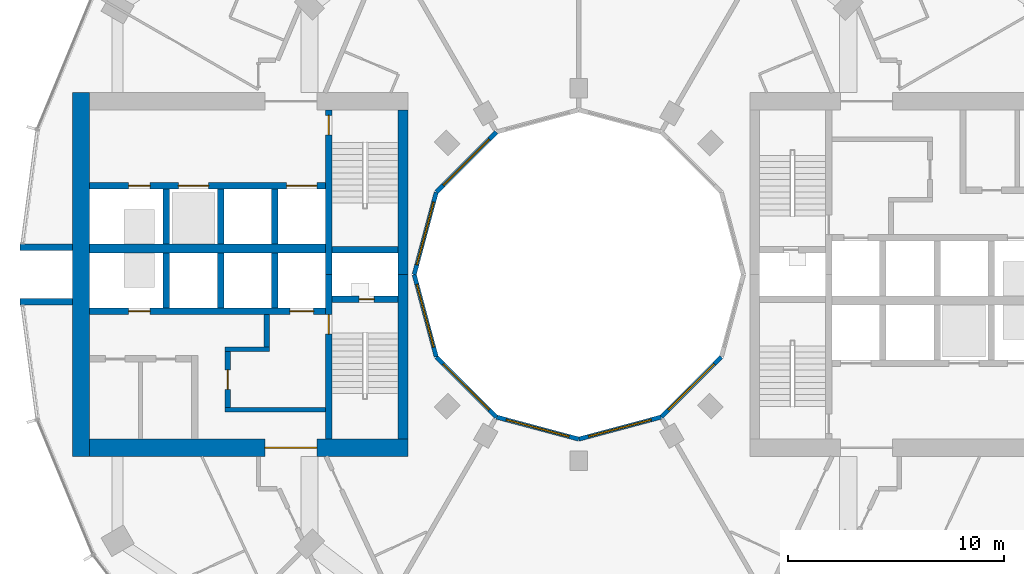
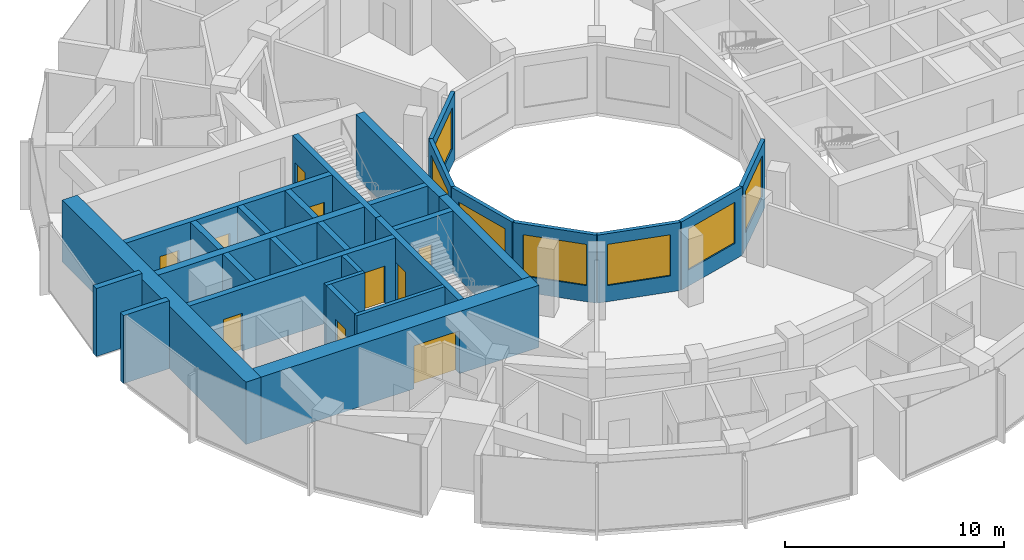
# One storey, part 9 of 15: 30 walls, 10 doors, 7 windows, 17 openings.
"""IFC4 building model written with IfcOpenShell, lengths in metres."""

from ifc_helpers import new_model, si_unit, direction, frame, frame_2d, origin, place, context, subcontext, project, spatial, rectangle, extrude, material, layer, layer_set, type_object, element, fill, save


model = new_model("IFC4")

# Units and contexts
model_context = context("Model", 3, precision=1e-05, world=origin(), true_north=direction((0.0, 1.0)))
body_context = subcontext(model_context, "Body", "Model", "MODEL_VIEW")
ifc_project = project(units=[si_unit("LENGTHUNIT", "METRE"), si_unit("AREAUNIT", "SQUARE_METRE"), si_unit("VOLUMEUNIT", "CUBIC_METRE"), si_unit("PLANEANGLEUNIT", "RADIAN"), si_unit("MASSUNIT", "GRAM", prefix="KILO")], contexts=[model_context])

# Site, building, storey
site_placement = place(None, origin())
site = spatial("IfcSite", under=ifc_project, at=site_placement, CompositionType="ELEMENT")
building_placement = place(site_placement, origin())
building = spatial("IfcBuilding", under=site, at=building_placement, Name="Torre Brocal", CompositionType="ELEMENT")
storey_placement = place(building_placement, frame((0.0, 0.0, 86.199951171875)))
storey = spatial("IfcBuildingStorey", under=building, at=storey_placement, Name="L19", CompositionType="ELEMENT", Elevation=86.199951171875)

# Walls
ifc_material_1 = material(Name="Concrete C80", Category="concrete")
ifc_layer_1 = layer(ifc_material_1, 0.199951171875)
ifc_layer_set_1 = layer_set([ifc_layer_1], Name="Concrete C80")
wall_type_1 = type_object("IfcWallType", Name="CORE WALL 200 C80", PredefinedType="SHEAR", material=ifc_layer_set_1)
wall_1_placement = place(storey_placement, frame((68.300048828125, 68.75, 0.0), z_axis=(0.0, 0.0, 1.0), x_axis=(-1.0, 0.0, 0.0)))
element("IfcWall", 1, at=wall_1_placement, inside=storey, type_object=wall_type_1, Name="Wall CW200-80", PredefinedType="SHEAR", context=body_context, shape_type="SweptSolid", body=[
    extrude(rectangle(XDim=4.650146484375, YDim=0.199951171875, at=frame_2d((2.3251953125, 0.0))), origin(), (0.0, 0.0, 1.0), 3.47998046875),
])
wall_2_placement = place(storey_placement, frame((65.699951171875, 71.550048828125, 0.0), z_axis=(0.0, 0.0, 1.0), x_axis=(-1.0, 0.0, 0.0)))
element("IfcWall", 2, at=wall_2_placement, inside=storey, type_object=wall_type_1, Name="Wall CW200-80", PredefinedType="SHEAR", context=body_context, shape_type="SweptSolid", body=[
    extrude(rectangle(XDim=2.050048828125, YDim=0.199951171875, at=frame_2d((1.02490234375, 0.0))), origin(), (0.0, 0.0, 1.0), 3.47998046875),
])

# Wall, opening, door
ifc_material_2 = material(Name="Concrete C80", Category="concrete")
ifc_layer_2 = layer(ifc_material_2, 0.25)
ifc_layer_set_2 = layer_set([ifc_layer_2], Name="Concrete C80")
wall_type_2 = type_object("IfcWallType", Name="CORE WALL 250 C80", PredefinedType="SHEAR", material=ifc_layer_set_2)
wall_3_placement = place(storey_placement, frame((63.77490234375, 71.449951171875, 0.0), z_axis=(0.0, 0.0, 1.0), x_axis=(0.0, -1.0, 0.0)))
wall_3 = element("IfcWall", 3, at=wall_3_placement, inside=storey, type_object=wall_type_2, Name="Wall CW250-80", PredefinedType="SHEAR", context=body_context, shape_type="SweptSolid", body=[
    extrude(rectangle(XDim=2.599853515625, YDim=0.25, at=frame_2d((1.2998046875, 0.0))), origin(), (0.0, 0.0, 1.0), 3.47998046875),
])
opening_1_placement = place(wall_3_placement, frame((0.85009765625, 0.0, 0.0)))
opening_1 = element("IfcOpeningElement", 4, at=opening_1_placement, cuts=wall_3, Name="Opening W-D15", PredefinedType="OPENING", context=body_context, shape_type="SweptSolid", body=[
    extrude(rectangle(XDim=0.89990234375, YDim=2.10009765625, at=frame_2d((0.449951171875, 1.050048828125))), frame((0.0, 0.135009765625, 0.0), z_axis=(0.0, -1.0, 0.0), x_axis=(1.0, 0.0, 0.0)), (0.0, 0.0, 1.0), 0.27001953125),
])
ifc_material_3 = material(Name="Steel A653", Category="steel")
door_type_1 = type_object("IfcDoorType", Name="LOBBY DOOR FD120 900X2100", OperationType="SINGLE_SWING_RIGHT", PredefinedType="DOOR", material=ifc_material_3)
door_1_placement = place(opening_1_placement, origin())
door_1 = element("IfcDoor", 5, at=door_1_placement, inside=storey, type_object=door_type_1, Name="Door W-D15", OperationType="SINGLE_SWING_LEFT", OverallHeight=2.10009765625, OverallWidth=0.89990234375, PredefinedType="DOOR", context=body_context, shape_type="SweptSolid", body=[
    extrude(rectangle(XDim=0.89990234375, YDim=2.10009765625, at=frame_2d((0.449951171875, 1.050048828125))), frame((0.0, 0.02490234375, 0.0), z_axis=(0.0, -1.0, 0.0), x_axis=(1.0, 0.0, 0.0)), (0.0, 0.0, 1.0), 0.050048828125),
])
fill(opening_1, door_1)

# Wall
wall_4_placement = place(storey_placement, frame((65.574951171875, 73.14990234375, 0.0), z_axis=(0.0, 0.0, 1.0), x_axis=(0.0, -1.0, 0.0)))
element("IfcWall", 6, at=wall_4_placement, inside=storey, type_object=wall_type_2, Name="Wall CW250-80", PredefinedType="SHEAR", context=body_context, shape_type="SweptSolid", body=[
    extrude(rectangle(XDim=1.5, YDim=0.25, at=frame_2d((0.75, 0.0))), origin(), (0.0, 0.0, 1.0), 3.47998046875),
])

# Wall, opening, door
ifc_material_4 = material(Name="Concrete C80", Category="concrete")
ifc_layer_3 = layer(ifc_material_4, 0.300048828125)
ifc_layer_set_3 = layer_set([ifc_layer_3], Name="Concrete C80")
wall_type_3 = type_object("IfcWallType", Name="CORE WALL 300 C80", PredefinedType="SHEAR", material=ifc_layer_set_3)
wall_5_placement = place(storey_placement, frame((68.449951171875, 75.0, 0.0), z_axis=(0.0, 0.0, 1.0), x_axis=(0.0, -1.0, 0.0)))
wall_5 = element("IfcWall", 7, at=wall_5_placement, inside=storey, type_object=wall_type_3, Name="Wall CW300-80", PredefinedType="SHEAR", context=body_context, shape_type="SweptSolid", body=[
    extrude(rectangle(XDim=7.60009765625, YDim=0.300048828125, at=frame_2d((3.800048828125, 0.0))), origin(), (0.0, 0.0, 1.0), 3.47998046875),
])
opening_2_placement = place(wall_5_placement, frame((1.85009765625, 0.0, 0.0)))
opening_2 = element("IfcOpeningElement", 8, at=opening_2_placement, cuts=wall_5, Name="Opening W-D02", PredefinedType="OPENING", context=body_context, shape_type="SweptSolid", body=[
    extrude(rectangle(XDim=0.89990234375, YDim=2.10009765625, at=frame_2d((0.449951171875, 1.050048828125))), frame((0.0, 0.159912109375, 0.0), z_axis=(0.0, -1.0, 0.0), x_axis=(1.0, 0.0, 0.0)), (0.0, 0.0, 1.0), 0.320068359375),
])
ifc_material_5 = material(Name="Steel A653", Category="steel")
door_type_2 = type_object("IfcDoorType", Name="STAIR DOOR FD120 900X2100", OperationType="SINGLE_SWING_RIGHT", PredefinedType="DOOR", material=ifc_material_5)
door_2_placement = place(opening_2_placement, origin())
door_2 = element("IfcDoor", 9, at=door_2_placement, inside=storey, type_object=door_type_2, Name="Door W-D02", OperationType="SINGLE_SWING_LEFT", OverallHeight=2.10009765625, OverallWidth=0.89990234375, PredefinedType="DOOR", context=body_context, shape_type="SweptSolid", body=[
    extrude(rectangle(XDim=0.89990234375, YDim=2.10009765625, at=frame_2d((0.449951171875, 1.050048828125))), frame((0.0, 0.02490234375, 0.0), z_axis=(0.0, -1.0, 0.0), x_axis=(1.0, 0.0, 0.0)), (0.0, 0.0, 1.0), 0.050048828125),
])
fill(opening_2, door_2)

wall_6_placement = place(storey_placement, frame((68.449951171875, 82.60009765625, 0.0), z_axis=(0.0, 0.0, 1.0), x_axis=(0.0, -1.0, 0.0)))
wall_6 = element("IfcWall", 10, at=wall_6_placement, inside=storey, type_object=wall_type_3, Name="Wall CW300-80", PredefinedType="SHEAR", context=body_context, shape_type="SweptSolid", body=[
    extrude(rectangle(XDim=7.60009765625, YDim=0.300048828125, at=frame_2d((3.800048828125, 0.0))), origin(), (0.0, 0.0, 1.0), 3.47998046875),
])
opening_3_placement = place(wall_6_placement, frame((0.25, 0.0, 0.0)))
opening_3 = element("IfcOpeningElement", 11, at=opening_3_placement, cuts=wall_6, Name="Opening W-D03", PredefinedType="OPENING", context=body_context, shape_type="SweptSolid", body=[
    extrude(rectangle(XDim=0.89990234375, YDim=2.10009765625, at=frame_2d((0.449951171875, 1.050048828125))), frame((0.0, 0.159912109375, 0.0), z_axis=(0.0, -1.0, 0.0), x_axis=(1.0, 0.0, 0.0)), (0.0, 0.0, 1.0), 0.320068359375),
])
door_3_placement = place(opening_3_placement, origin())
door_3 = element("IfcDoor", 12, at=door_3_placement, inside=storey, type_object=door_type_2, Name="Door W-D03", OperationType="SINGLE_SWING_LEFT", OverallHeight=2.10009765625, OverallWidth=0.89990234375, PredefinedType="DOOR", context=body_context, shape_type="SweptSolid", body=[
    extrude(rectangle(XDim=0.89990234375, YDim=2.10009765625, at=frame_2d((0.449951171875, 1.050048828125))), frame((0.0, 0.02490234375, 0.0), z_axis=(0.0, -1.0, 0.0), x_axis=(1.0, 0.0, 0.0)), (0.0, 0.0, 1.0), 0.050048828125),
])
fill(opening_3, door_3)

wall_7_placement = place(storey_placement, frame((71.64990234375, 73.85009765625, 0.0), z_axis=(0.0, 0.0, 1.0), x_axis=(-1.0, 0.0, 0.0)))
wall_7 = element("IfcWall", 13, at=wall_7_placement, inside=storey, type_object=wall_type_3, Name="Wall CW300-80", PredefinedType="SHEAR", context=body_context, shape_type="SweptSolid", body=[
    extrude(rectangle(XDim=3.0498046875, YDim=0.300048828125, at=frame_2d((1.52490234375, 0.0))), origin(), (0.0, 0.0, 1.0), 3.47998046875),
])
opening_4_placement = place(wall_7_placement, frame((1.10009765625, 0.0, 0.0)))
opening_4 = element("IfcOpeningElement", 14, at=opening_4_placement, cuts=wall_7, Name="Opening W-D01", PredefinedType="OPENING", context=body_context, shape_type="SweptSolid", body=[
    extrude(rectangle(XDim=0.699951171875, YDim=2.0, at=frame_2d((0.35009765625, 1.0))), frame((0.0, 0.159912109375, 0.0), z_axis=(0.0, -1.0, 0.0), x_axis=(1.0, 0.0, 0.0)), (0.0, 0.0, 1.0), 0.320068359375),
])
ifc_material_6 = material(Name="Steel A653", Category="steel")
door_type_3 = type_object("IfcDoorType", Name="RISER DOOR FD120 700X2000", OperationType="SINGLE_SWING_LEFT", PredefinedType="DOOR", material=ifc_material_6)
door_4_placement = place(opening_4_placement, frame((0.699951171875, 0.0, 0.0), z_axis=(0.0, 0.0, 1.0), x_axis=(-1.0, 0.0, 0.0)))
door_4 = element("IfcDoor", 15, at=door_4_placement, inside=storey, type_object=door_type_3, Name="Door W-D01", OperationType="SINGLE_SWING_RIGHT", OverallHeight=2.0, OverallWidth=0.699951171875, PredefinedType="DOOR", context=body_context, shape_type="SweptSolid", body=[
    extrude(rectangle(XDim=0.699951171875, YDim=2.0, at=frame_2d((0.35009765625, 1.0))), frame((0.0, 0.02490234375, 0.0), z_axis=(0.0, -1.0, 0.0), x_axis=(1.0, 0.0, 0.0)), (0.0, 0.0, 1.0), 0.050048828125),
])
fill(opening_4, door_4)

# Wall
wall_8_placement = place(storey_placement, frame((71.64990234375, 76.14990234375, 0.0), z_axis=(0.0, 0.0, 1.0), x_axis=(-1.0, 0.0, 0.0)))
element("IfcWall", 16, at=wall_8_placement, inside=storey, type_object=wall_type_3, Name="Wall CW300-80", PredefinedType="SHEAR", context=body_context, shape_type="SweptSolid", body=[
    extrude(rectangle(XDim=3.0498046875, YDim=0.300048828125, at=frame_2d((1.52490234375, 0.0))), origin(), (0.0, 0.0, 1.0), 3.47998046875),
])

# Wall, openings, doors
wall_9_placement = place(storey_placement, frame((68.300048828125, 73.300048828125, 0.0), z_axis=(0.0, 0.0, 1.0), x_axis=(-1.0, 0.0, 0.0)))
wall_9 = element("IfcWall", 17, at=wall_9_placement, inside=storey, type_object=wall_type_3, Name="Wall CW300-80", PredefinedType="SHEAR", context=body_context, shape_type="SweptSolid", body=[
    extrude(rectangle(XDim=10.900146484375, YDim=0.300048828125, at=frame_2d((5.4501953125, 0.0))), origin(), (0.0, 0.0, 1.0), 3.47998046875),
])
opening_5_placement = place(wall_9_placement, frame((0.550048828125, 0.0, 0.0)))
opening_5 = element("IfcOpeningElement", 18, at=opening_5_placement, cuts=wall_9, Name="Opening LD", PredefinedType="OPENING", context=body_context, shape_type="SweptSolid", body=[
    extrude(rectangle(XDim=1.10009765625, YDim=2.10009765625, at=frame_2d((0.550048828125, 1.050048828125))), frame((0.0, 0.159912109375, 0.0), z_axis=(0.0, -1.0, 0.0), x_axis=(1.0, 0.0, 0.0)), (0.0, 0.0, 1.0), 0.320068359375),
])
opening_6_placement = place(wall_9_placement, frame((8.10009765625, 0.0, 0.0)))
opening_6 = element("IfcOpeningElement", 19, at=opening_6_placement, cuts=wall_9, Name="Opening LD10", PredefinedType="OPENING", context=body_context, shape_type="SweptSolid", body=[
    extrude(rectangle(XDim=1.0, YDim=2.10009765625, at=frame_2d((0.5, 1.050048828125))), frame((0.0, 0.159912109375, 0.0), z_axis=(0.0, -1.0, 0.0), x_axis=(1.0, 0.0, 0.0)), (0.0, 0.0, 1.0), 0.320068359375),
])
ifc_material_7 = material(Name="Stainless steel AISI 316", Category="steel")
door_type_4 = type_object("IfcDoorType", Name="LIFT LANDING DOOR 1000X2100", OperationType="DOUBLE_DOOR_SLIDING", PredefinedType="DOOR", material=ifc_material_7)
door_5_placement = place(opening_6_placement, origin())
door_5 = element("IfcDoor", 20, at=door_5_placement, inside=storey, type_object=door_type_4, Name="Door LD10", OperationType="DOUBLE_DOOR_SLIDING", OverallHeight=2.10009765625, OverallWidth=1.0, PredefinedType="DOOR", context=body_context, shape_type="SweptSolid", body=[
    extrude(rectangle(XDim=1.0, YDim=2.10009765625, at=frame_2d((0.5, 1.050048828125))), frame((0.0, 0.02490234375, 0.0), z_axis=(0.0, -1.0, 0.0), x_axis=(1.0, 0.0, 0.0)), (0.0, 0.0, 1.0), 0.050048828125),
])
fill(opening_6, door_5)
ifc_material_8 = material(Name="Stainless steel AISI 316", Category="steel")
door_type_5 = type_object("IfcDoorType", Name="LIFT LANDING DOOR 1100X2100", OperationType="DOUBLE_DOOR_SLIDING", PredefinedType="DOOR", material=ifc_material_8)
door_6_placement = place(opening_5_placement, origin())
door_6 = element("IfcDoor", 21, at=door_6_placement, inside=storey, type_object=door_type_5, Name="Door LD", OperationType="DOUBLE_DOOR_SLIDING", OverallHeight=2.10009765625, OverallWidth=1.10009765625, PredefinedType="DOOR", context=body_context, shape_type="SweptSolid", body=[
    extrude(rectangle(XDim=1.10009765625, YDim=2.10009765625, at=frame_2d((0.550048828125, 1.050048828125))), frame((0.0, 0.02490234375, 0.0), z_axis=(0.0, -1.0, 0.0), x_axis=(1.0, 0.0, 0.0)), (0.0, 0.0, 1.0), 0.050048828125),
])
fill(opening_5, door_6)

wall_10_placement = place(storey_placement, frame((68.300048828125, 79.10009765625, 0.0), z_axis=(0.0, 0.0, 1.0), x_axis=(-1.0, 0.0, 0.0)))
wall_10 = element("IfcWall", 22, at=wall_10_placement, inside=storey, type_object=wall_type_3, Name="Wall CW300-80", PredefinedType="SHEAR", context=body_context, shape_type="SweptSolid", body=[
    extrude(rectangle(XDim=10.900146484375, YDim=0.300048828125, at=frame_2d((5.4501953125, 0.0))), origin(), (0.0, 0.0, 1.0), 3.47998046875),
])
opening_7_placement = place(wall_10_placement, frame((0.39990234375, 0.0, 0.0)))
opening_7 = element("IfcOpeningElement", 23, at=opening_7_placement, cuts=wall_10, Name="Opening LD14", PredefinedType="OPENING", context=body_context, shape_type="SweptSolid", body=[
    extrude(rectangle(XDim=1.39990234375, YDim=2.10009765625, at=frame_2d((0.699951171875, 1.050048828125))), frame((0.0, 0.159912109375, 0.0), z_axis=(0.0, -1.0, 0.0), x_axis=(1.0, 0.0, 0.0)), (0.0, 0.0, 1.0), 0.320068359375),
])
opening_8_placement = place(wall_10_placement, frame((5.39990234375, 0.0, 0.0)))
opening_8 = element("IfcOpeningElement", 24, at=opening_8_placement, cuts=wall_10, Name="Opening LD14", PredefinedType="OPENING", context=body_context, shape_type="SweptSolid", body=[
    extrude(rectangle(XDim=1.39990234375, YDim=2.10009765625, at=frame_2d((0.699951171875, 1.050048828125))), frame((0.0, 0.159912109375, 0.0), z_axis=(0.0, -1.0, 0.0), x_axis=(1.0, 0.0, 0.0)), (0.0, 0.0, 1.0), 0.320068359375),
])
opening_9_placement = place(wall_10_placement, frame((8.10009765625, 0.0, 0.0)))
opening_9 = element("IfcOpeningElement", 25, at=opening_9_placement, cuts=wall_10, Name="Opening LD10", PredefinedType="OPENING", context=body_context, shape_type="SweptSolid", body=[
    extrude(rectangle(XDim=1.0, YDim=2.10009765625, at=frame_2d((0.5, 1.050048828125))), frame((0.0, 0.159912109375, 0.0), z_axis=(0.0, -1.0, 0.0), x_axis=(1.0, 0.0, 0.0)), (0.0, 0.0, 1.0), 0.320068359375),
])
door_7_placement = place(opening_9_placement, origin())
door_7 = element("IfcDoor", 26, at=door_7_placement, inside=storey, type_object=door_type_4, Name="Door LD10", OperationType="DOUBLE_DOOR_SLIDING", OverallHeight=2.10009765625, OverallWidth=1.0, PredefinedType="DOOR", context=body_context, shape_type="SweptSolid", body=[
    extrude(rectangle(XDim=1.0, YDim=2.10009765625, at=frame_2d((0.5, 1.050048828125))), frame((0.0, 0.02490234375, 0.0), z_axis=(0.0, -1.0, 0.0), x_axis=(1.0, 0.0, 0.0)), (0.0, 0.0, 1.0), 0.050048828125),
])
fill(opening_9, door_7)
ifc_material_9 = material(Name="Stainless steel AISI 316", Category="steel")
door_type_6 = type_object("IfcDoorType", Name="LIFT LANDING DOOR 1400X2100", OperationType="DOUBLE_DOOR_SLIDING", PredefinedType="DOOR", material=ifc_material_9)
door_8_placement = place(opening_7_placement, origin())
door_8 = element("IfcDoor", 27, at=door_8_placement, inside=storey, type_object=door_type_6, Name="Door LD14", OperationType="DOUBLE_DOOR_SLIDING", OverallHeight=2.10009765625, OverallWidth=1.39990234375, PredefinedType="DOOR", context=body_context, shape_type="SweptSolid", body=[
    extrude(rectangle(XDim=1.39990234375, YDim=2.10009765625, at=frame_2d((0.699951171875, 1.050048828125))), frame((0.0, 0.02490234375, 0.0), z_axis=(0.0, -1.0, 0.0), x_axis=(1.0, 0.0, 0.0)), (0.0, 0.0, 1.0), 0.050048828125),
])
fill(opening_7, door_8)
door_9_placement = place(opening_8_placement, origin())
door_9 = element("IfcDoor", 28, at=door_9_placement, inside=storey, type_object=door_type_6, Name="Door LD14", OperationType="DOUBLE_DOOR_SLIDING", OverallHeight=2.10009765625, OverallWidth=1.39990234375, PredefinedType="DOOR", context=body_context, shape_type="SweptSolid", body=[
    extrude(rectangle(XDim=1.39990234375, YDim=2.10009765625, at=frame_2d((0.699951171875, 1.050048828125))), frame((0.0, 0.02490234375, 0.0), z_axis=(0.0, -1.0, 0.0), x_axis=(1.0, 0.0, 0.0)), (0.0, 0.0, 1.0), 0.050048828125),
])
fill(opening_8, door_9)

# Walls
for number, where, z_axis, x_axis, name in (
    (29, (65.949951171875, 76.0, 0.0), (0.0, 0.0, 1.0), (0.0, -1.0, 0.0), "Wall CW300-80"),
    (30, (63.449951171875, 76.0, 0.0), (0.0, 0.0, 1.0), (0.0, -1.0, 0.0), "Wall CW300-80"),
    (31, (60.949951171875, 76.0, 0.0), (0.0, 0.0, 1.0), (0.0, -1.0, 0.0), "Wall CW300-80"),
    (32, (65.949951171875, 78.949951171875, 0.0), (0.0, 0.0, 1.0), (0.0, -1.0, 0.0), "Wall CW300-80"),
    (33, (63.449951171875, 78.949951171875, 0.0), (0.0, 0.0, 1.0), (0.0, -1.0, 0.0), "Wall CW300-80"),
    (34, (60.949951171875, 78.949951171875, 0.0), (0.0, 0.0, 1.0), (0.0, -1.0, 0.0), "Wall CW300-80"),
):
    element("IfcWall", number, at=place(storey_placement, frame(where, z_axis=z_axis, x_axis=x_axis)), inside=storey, type_object=wall_type_3, Name=name, PredefinedType="SHEAR", context=body_context, shape_type="SweptSolid", body=[
        extrude(rectangle(XDim=2.550048828125, YDim=0.300048828125, at=frame_2d((1.27490234375, 0.0))), origin(), (0.0, 0.0, 1.0), 3.47998046875),
    ])
ifc_material_10 = material(Name="Concrete C80", Category="concrete")
ifc_layer_4 = layer(ifc_material_10, 0.39990234375)
ifc_layer_set_4 = layer_set([ifc_layer_4], Name="Concrete C80")
wall_type_4 = type_object("IfcWallType", Name="CORE WALL 400 C80", PredefinedType="SHEAR", material=ifc_layer_set_4)
wall_11_placement = place(storey_placement, frame((68.300048828125, 76.199951171875, 0.0), z_axis=(0.0, 0.0, 1.0), x_axis=(-1.0, 0.0, 0.0)))
element("IfcWall", 35, at=wall_11_placement, inside=storey, type_object=wall_type_4, Name="Wall CW400-80", PredefinedType="SHEAR", context=body_context, shape_type="SweptSolid", body=[
    extrude(rectangle(XDim=10.900146484375, YDim=0.39990234375, at=frame_2d((5.4501953125, 0.0))), origin(), (0.0, 0.0, 1.0), 3.47998046875),
])
ifc_material_11 = material(Name="Concrete C80", Category="concrete")
ifc_layer_5 = layer(ifc_material_11, 0.449951171875)
ifc_layer_set_5 = layer_set([ifc_layer_5], Name="Concrete C80")
wall_type_5 = type_object("IfcWallType", Name="CORE WALL 450 C80", PredefinedType="SHEAR", material=ifc_layer_set_5)
for number, where, z_axis, x_axis, name in (
    (36, (71.875, 75.0, 0.0), (0.0, 0.0, 1.0), (0.0, -1.0, 0.0), "Wall CW450-80"),
    (37, (71.875, 82.60009765625, 0.0), (0.0, 0.0, 1.0), (0.0, -1.0, 0.0), "Wall CW450-80"),
):
    element("IfcWall", number, at=place(storey_placement, frame(where, z_axis=z_axis, x_axis=x_axis)), inside=storey, type_object=wall_type_5, Name=name, PredefinedType="SHEAR", context=body_context, shape_type="SweptSolid", body=[
        extrude(rectangle(XDim=7.60009765625, YDim=0.449951171875, at=frame_2d((3.800048828125, 0.0))), origin(), (0.0, 0.0, 1.0), 3.47998046875),
    ])

# Wall, opening, door
ifc_material_12 = material(Name="Concrete C80", Category="concrete")
ifc_layer_6 = layer(ifc_material_12, 0.800048828125)
ifc_layer_set_6 = layer_set([ifc_layer_6], Name="Concrete C80")
wall_type_6 = type_object("IfcWallType", Name="CORE WALL 800 C80", PredefinedType="SHEAR", material=ifc_layer_set_6)
wall_12_placement = place(storey_placement, frame((72.10009765625, 67.0, 0.0), z_axis=(0.0, 0.0, 1.0), x_axis=(-1.0, 0.0, 0.0)))
wall_12 = element("IfcWall", 38, at=wall_12_placement, inside=storey, type_object=wall_type_6, Name="Wall CW800-80", PredefinedType="SHEAR", context=body_context, shape_type="SweptSolid", body=[
    extrude(rectangle(XDim=14.7001953125, YDim=0.800048828125, at=frame_2d((7.35009765625, 0.0))), origin(), (0.0, 0.0, 1.0), 3.47998046875),
])
opening_10_placement = place(wall_12_placement, frame((4.199951171875, 0.0, 0.0)))
opening_10 = element("IfcOpeningElement", 39, at=opening_10_placement, cuts=wall_12, Name="Opening W-D24", PredefinedType="OPENING", context=body_context, shape_type="SweptSolid", body=[
    extrude(rectangle(XDim=2.39990234375, YDim=2.39990234375, at=frame_2d((1.199951171875, 1.199951171875))), frame((0.0, 0.409912109375, 0.0), z_axis=(0.0, -1.0, 0.0), x_axis=(1.0, 0.0, 0.0)), (0.0, 0.0, 1.0), 0.820068359375),
])
ifc_material_13 = material(Name="Steel A653", Category="steel")
door_type_7 = type_object("IfcDoorType", Name="DOUBLE FIRE DOOR FD90 2400X2400", OperationType="DOUBLE_DOOR_SINGLE_SWING", PredefinedType="DOOR", material=ifc_material_13)
door_10_placement = place(opening_10_placement, frame((2.39990234375, 0.0, 0.0), z_axis=(0.0, 0.0, 1.0), x_axis=(-1.0, 0.0, 0.0)))
door_10 = element("IfcDoor", 40, at=door_10_placement, inside=storey, type_object=door_type_7, Name="Door W-D24", OperationType="DOUBLE_DOOR_SINGLE_SWING", OverallHeight=2.39990234375, OverallWidth=2.39990234375, PredefinedType="DOOR", context=body_context, shape_type="SweptSolid", body=[
    extrude(rectangle(XDim=2.39990234375, YDim=2.39990234375, at=frame_2d((1.199951171875, 1.199951171875))), frame((0.0, 0.02490234375, 0.0), z_axis=(0.0, -1.0, 0.0), x_axis=(1.0, 0.0, 0.0)), (0.0, 0.0, 1.0), 0.050048828125),
])
fill(opening_10, door_10)

# Walls
wall_13_placement = place(storey_placement, frame((57.0, 83.39990234375, 0.0), z_axis=(0.0, 0.0, 1.0), x_axis=(0.0, -1.0, 0.0)))
element("IfcWall", 41, at=wall_13_placement, inside=storey, type_object=wall_type_6, Name="Wall CW800-80", PredefinedType="SHEAR", context=body_context, shape_type="SweptSolid", body=[
    extrude(rectangle(XDim=16.7998046875, YDim=0.800048828125, at=frame_2d((8.39990234375, 0.0))), origin(), (0.0, 0.0, 1.0), 3.47998046875),
])
ifc_material_14 = material(Name="Concrete C80", Category="concrete")
ifc_layer_7 = layer(ifc_material_14, 0.300048828125)
ifc_layer_set_7 = layer_set([ifc_layer_7], Name="Concrete C80")
wall_type_7 = type_object("IfcWallType", Name="NOTCH RETURN WALL 300 C80", PredefinedType="NOTDEFINED", material=ifc_layer_set_7)
for number, where, z_axis, x_axis, name in (
    (42, (56.60009765625, 76.25, 0.0), (0.0, 0.0, 1.0), (-1.0, 0.0, 0.0), "NOTCH RETURN WALL"),
    (43, (56.60009765625, 73.75, 0.0), (0.0, 0.0, 1.0), (-1.0, 0.0, 0.0), "NOTCH RETURN WALL"),
):
    element("IfcWall", number, at=place(storey_placement, frame(where, z_axis=z_axis, x_axis=x_axis)), inside=storey, type_object=wall_type_7, Name=name, PredefinedType="NOTDEFINED", context=body_context, shape_type="SweptSolid", body=[
        extrude(rectangle(XDim=2.415771484375, YDim=0.300048828125, at=frame_2d((1.2080078125, 0.0))), origin(), (0.0, 0.0, 1.0), 3.800048828125),
    ])

# Wall, opening, window
ifc_material_15 = material(Name="Concrete C40", Category="concrete")
ifc_layer_8 = layer(ifc_material_15, 0.199951171875)
ifc_layer_set_8 = layer_set([ifc_layer_8], Name="Concrete C40")
wall_type_8 = type_object("IfcWallType", Name="WELL FACADE WALL 200", PredefinedType="NOTDEFINED", material=ifc_layer_set_8)
wall_14_placement = place(storey_placement, frame((76.1982421875, 81.5849609375, 0.0), z_axis=(0.0, 0.0, 1.0), x_axis=(-0.707106781187, -0.707106781187, 0.0)))
wall_14 = element("IfcWall", 44, at=wall_14_placement, inside=storey, type_object=wall_type_8, Name="WELL FACADE WALL", PredefinedType="NOTDEFINED", context=body_context, shape_type="SweptSolid", body=[
    extrude(rectangle(XDim=3.93603515625, YDim=0.199951171875, at=frame_2d((1.968017578125, 0.0))), origin(), (0.0, 0.0, 1.0), 3.800048828125),
])
opening_11_placement = place(wall_14_placement, frame((0.468017578125, 0.0, 0.89990234375)))
opening_11 = element("IfcOpeningElement", 45, at=opening_11_placement, cuts=wall_14, Name="Opening W1", PredefinedType="OPENING", context=body_context, shape_type="SweptSolid", body=[
    extrude(rectangle(XDim=3.0, YDim=2.300048828125, at=frame_2d((1.5, 1.14990234375))), frame((0.0, 0.10986328125, 0.0), z_axis=(0.0, -1.0, 0.0), x_axis=(1.0, 0.0, 0.0)), (0.0, 0.0, 1.0), 0.219970703125),
])
ifc_material_16 = material(Name="Aluminium and glass", Category="aluminium")
window_type = type_object("IfcWindowType", Name="WELL WINDOW 3000X2300", PartitioningType="SINGLE_PANEL", PredefinedType="WINDOW", material=ifc_material_16)
window_1_placement = place(opening_11_placement, origin())
window_1 = element("IfcWindow", 46, at=window_1_placement, inside=storey, type_object=window_type, Name="WELL WINDOW 3000X2300", OverallHeight=2.300048828125, OverallWidth=3.0, PartitioningType="SINGLE_PANEL", PredefinedType="WINDOW", context=body_context, shape_type="SweptSolid", body=[
    extrude(rectangle(XDim=3.0, YDim=2.300048828125, at=frame_2d((1.5, 1.14990234375))), frame((0.0, 0.030029296875, 0.0), z_axis=(0.0, -1.0, 0.0), x_axis=(1.0, 0.0, 0.0)), (0.0, 0.0, 1.0), 0.06005859375),
])
fill(opening_11, window_1)

wall_15_placement = place(storey_placement, frame((73.4150390625, 78.8017578125, 0.0), z_axis=(0.0, 0.0, 1.0), x_axis=(-0.258789828301, -0.965933654434, 0.0)))
wall_15 = element("IfcWall", 47, at=wall_15_placement, inside=storey, type_object=wall_type_8, Name="WELL FACADE WALL", PredefinedType="NOTDEFINED", context=body_context, shape_type="SweptSolid", body=[
    extrude(rectangle(XDim=3.935791015625, YDim=0.199951171875, at=frame_2d((1.9677734375, 0.0))), origin(), (0.0, 0.0, 1.0), 3.800048828125),
])
opening_12_placement = place(wall_15_placement, frame((0.468017578125, 0.0, 0.89990234375)))
opening_12 = element("IfcOpeningElement", 48, at=opening_12_placement, cuts=wall_15, Name="Opening W1", PredefinedType="OPENING", context=body_context, shape_type="SweptSolid", body=[
    extrude(rectangle(XDim=3.0, YDim=2.300048828125, at=frame_2d((1.5, 1.14990234375))), frame((0.0, 0.10986328125, 0.0), z_axis=(0.0, -1.0, 0.0), x_axis=(1.0, 0.0, 0.0)), (0.0, 0.0, 1.0), 0.219970703125),
])
window_2_placement = place(opening_12_placement, origin())
window_2 = element("IfcWindow", 49, at=window_2_placement, inside=storey, type_object=window_type, Name="WELL WINDOW 3000X2300", OverallHeight=2.300048828125, OverallWidth=3.0, PartitioningType="SINGLE_PANEL", PredefinedType="WINDOW", context=body_context, shape_type="SweptSolid", body=[
    extrude(rectangle(XDim=3.0, YDim=2.300048828125, at=frame_2d((1.5, 1.14990234375))), frame((0.0, 0.030029296875, 0.0), z_axis=(0.0, -1.0, 0.0), x_axis=(1.0, 0.0, 0.0)), (0.0, 0.0, 1.0), 0.06005859375),
])
fill(opening_12, window_2)

wall_16_placement = place(storey_placement, frame((72.396484375, 75.0, 0.0), z_axis=(0.0, 0.0, 1.0), x_axis=(0.258789828301, -0.965933654434, 0.0)))
wall_16 = element("IfcWall", 50, at=wall_16_placement, inside=storey, type_object=wall_type_8, Name="WELL FACADE WALL", PredefinedType="NOTDEFINED", context=body_context, shape_type="SweptSolid", body=[
    extrude(rectangle(XDim=3.935791015625, YDim=0.199951171875, at=frame_2d((1.9677734375, 0.0))), origin(), (0.0, 0.0, 1.0), 3.800048828125),
])
opening_13_placement = place(wall_16_placement, frame((0.468017578125, 0.0, 0.89990234375)))
opening_13 = element("IfcOpeningElement", 51, at=opening_13_placement, cuts=wall_16, Name="Opening W1", PredefinedType="OPENING", context=body_context, shape_type="SweptSolid", body=[
    extrude(rectangle(XDim=3.0, YDim=2.300048828125, at=frame_2d((1.5, 1.14990234375))), frame((0.0, 0.10986328125, 0.0), z_axis=(0.0, -1.0, 0.0), x_axis=(1.0, 0.0, 0.0)), (0.0, 0.0, 1.0), 0.219970703125),
])
window_3_placement = place(opening_13_placement, origin())
window_3 = element("IfcWindow", 52, at=window_3_placement, inside=storey, type_object=window_type, Name="WELL WINDOW 3000X2300", OverallHeight=2.300048828125, OverallWidth=3.0, PartitioningType="SINGLE_PANEL", PredefinedType="WINDOW", context=body_context, shape_type="SweptSolid", body=[
    extrude(rectangle(XDim=3.0, YDim=2.300048828125, at=frame_2d((1.5, 1.14990234375))), frame((0.0, 0.030029296875, 0.0), z_axis=(0.0, -1.0, 0.0), x_axis=(1.0, 0.0, 0.0)), (0.0, 0.0, 1.0), 0.06005859375),
])
fill(opening_13, window_3)

wall_17_placement = place(storey_placement, frame((73.4150390625, 71.1982421875, 0.0), z_axis=(0.0, 0.0, 1.0), x_axis=(0.707106781187, -0.707106781187, 0.0)))
wall_17 = element("IfcWall", 53, at=wall_17_placement, inside=storey, type_object=wall_type_8, Name="WELL FACADE WALL", PredefinedType="NOTDEFINED", context=body_context, shape_type="SweptSolid", body=[
    extrude(rectangle(XDim=3.93603515625, YDim=0.199951171875, at=frame_2d((1.968017578125, 0.0))), origin(), (0.0, 0.0, 1.0), 3.800048828125),
])
opening_14_placement = place(wall_17_placement, frame((0.468017578125, 0.0, 0.89990234375)))
opening_14 = element("IfcOpeningElement", 54, at=opening_14_placement, cuts=wall_17, Name="Opening W1", PredefinedType="OPENING", context=body_context, shape_type="SweptSolid", body=[
    extrude(rectangle(XDim=3.0, YDim=2.300048828125, at=frame_2d((1.5, 1.14990234375))), frame((0.0, 0.10986328125, 0.0), z_axis=(0.0, -1.0, 0.0), x_axis=(1.0, 0.0, 0.0)), (0.0, 0.0, 1.0), 0.219970703125),
])
window_4_placement = place(opening_14_placement, origin())
window_4 = element("IfcWindow", 55, at=window_4_placement, inside=storey, type_object=window_type, Name="WELL WINDOW 3000X2300", OverallHeight=2.300048828125, OverallWidth=3.0, PartitioningType="SINGLE_PANEL", PredefinedType="WINDOW", context=body_context, shape_type="SweptSolid", body=[
    extrude(rectangle(XDim=3.0, YDim=2.300048828125, at=frame_2d((1.5, 1.14990234375))), frame((0.0, 0.030029296875, 0.0), z_axis=(0.0, -1.0, 0.0), x_axis=(1.0, 0.0, 0.0)), (0.0, 0.0, 1.0), 0.06005859375),
])
fill(opening_14, window_4)

wall_18_placement = place(storey_placement, frame((76.1982421875, 68.4150390625, 0.0), z_axis=(0.0, 0.0, 1.0), x_axis=(0.965933654434, -0.258789828301, 0.0)))
wall_18 = element("IfcWall", 56, at=wall_18_placement, inside=storey, type_object=wall_type_8, Name="WELL FACADE WALL", PredefinedType="NOTDEFINED", context=body_context, shape_type="SweptSolid", body=[
    extrude(rectangle(XDim=3.935791015625, YDim=0.199951171875, at=frame_2d((1.9677734375, 0.0))), origin(), (0.0, 0.0, 1.0), 3.800048828125),
])
opening_15_placement = place(wall_18_placement, frame((0.468017578125, 0.0, 0.89990234375)))
opening_15 = element("IfcOpeningElement", 57, at=opening_15_placement, cuts=wall_18, Name="Opening W1", PredefinedType="OPENING", context=body_context, shape_type="SweptSolid", body=[
    extrude(rectangle(XDim=3.0, YDim=2.300048828125, at=frame_2d((1.5, 1.14990234375))), frame((0.0, 0.10986328125, 0.0), z_axis=(0.0, -1.0, 0.0), x_axis=(1.0, 0.0, 0.0)), (0.0, 0.0, 1.0), 0.219970703125),
])
window_5_placement = place(opening_15_placement, origin())
window_5 = element("IfcWindow", 58, at=window_5_placement, inside=storey, type_object=window_type, Name="WELL WINDOW 3000X2300", OverallHeight=2.300048828125, OverallWidth=3.0, PartitioningType="SINGLE_PANEL", PredefinedType="WINDOW", context=body_context, shape_type="SweptSolid", body=[
    extrude(rectangle(XDim=3.0, YDim=2.300048828125, at=frame_2d((1.5, 1.14990234375))), frame((0.0, 0.030029296875, 0.0), z_axis=(0.0, -1.0, 0.0), x_axis=(1.0, 0.0, 0.0)), (0.0, 0.0, 1.0), 0.06005859375),
])
fill(opening_15, window_5)

wall_19_placement = place(storey_placement, frame((80.0, 67.396484375, 0.0), z_axis=(0.0, 0.0, 1.0), x_axis=(0.965933654434, 0.258789828301, 0.0)))
wall_19 = element("IfcWall", 59, at=wall_19_placement, inside=storey, type_object=wall_type_8, Name="WELL FACADE WALL", PredefinedType="NOTDEFINED", context=body_context, shape_type="SweptSolid", body=[
    extrude(rectangle(XDim=3.935791015625, YDim=0.199951171875, at=frame_2d((1.9677734375, 0.0))), origin(), (0.0, 0.0, 1.0), 3.800048828125),
])
opening_16_placement = place(wall_19_placement, frame((0.468017578125, 0.0, 0.89990234375)))
opening_16 = element("IfcOpeningElement", 60, at=opening_16_placement, cuts=wall_19, Name="Opening W1", PredefinedType="OPENING", context=body_context, shape_type="SweptSolid", body=[
    extrude(rectangle(XDim=3.0, YDim=2.300048828125, at=frame_2d((1.5, 1.14990234375))), frame((0.0, 0.10986328125, 0.0), z_axis=(0.0, -1.0, 0.0), x_axis=(1.0, 0.0, 0.0)), (0.0, 0.0, 1.0), 0.219970703125),
])
window_6_placement = place(opening_16_placement, origin())
window_6 = element("IfcWindow", 61, at=window_6_placement, inside=storey, type_object=window_type, Name="WELL WINDOW 3000X2300", OverallHeight=2.300048828125, OverallWidth=3.0, PartitioningType="SINGLE_PANEL", PredefinedType="WINDOW", context=body_context, shape_type="SweptSolid", body=[
    extrude(rectangle(XDim=3.0, YDim=2.300048828125, at=frame_2d((1.5, 1.14990234375))), frame((0.0, 0.030029296875, 0.0), z_axis=(0.0, -1.0, 0.0), x_axis=(1.0, 0.0, 0.0)), (0.0, 0.0, 1.0), 0.06005859375),
])
fill(opening_16, window_6)

wall_20_placement = place(storey_placement, frame((83.8017578125, 68.4150390625, 0.0), z_axis=(0.0, 0.0, 1.0), x_axis=(0.707106781187, 0.707106781187, 0.0)))
wall_20 = element("IfcWall", 62, at=wall_20_placement, inside=storey, type_object=wall_type_8, Name="WELL FACADE WALL", PredefinedType="NOTDEFINED", context=body_context, shape_type="SweptSolid", body=[
    extrude(rectangle(XDim=3.93603515625, YDim=0.199951171875, at=frame_2d((1.968017578125, 0.0))), origin(), (0.0, 0.0, 1.0), 3.800048828125),
])
opening_17_placement = place(wall_20_placement, frame((0.468017578125, 0.0, 0.89990234375)))
opening_17 = element("IfcOpeningElement", 63, at=opening_17_placement, cuts=wall_20, Name="Opening W1", PredefinedType="OPENING", context=body_context, shape_type="SweptSolid", body=[
    extrude(rectangle(XDim=3.0, YDim=2.300048828125, at=frame_2d((1.5, 1.14990234375))), frame((0.0, 0.10986328125, 0.0), z_axis=(0.0, -1.0, 0.0), x_axis=(1.0, 0.0, 0.0)), (0.0, 0.0, 1.0), 0.219970703125),
])
window_7_placement = place(opening_17_placement, origin())
window_7 = element("IfcWindow", 64, at=window_7_placement, inside=storey, type_object=window_type, Name="WELL WINDOW 3000X2300", OverallHeight=2.300048828125, OverallWidth=3.0, PartitioningType="SINGLE_PANEL", PredefinedType="WINDOW", context=body_context, shape_type="SweptSolid", body=[
    extrude(rectangle(XDim=3.0, YDim=2.300048828125, at=frame_2d((1.5, 1.14990234375))), frame((0.0, 0.030029296875, 0.0), z_axis=(0.0, -1.0, 0.0), x_axis=(1.0, 0.0, 0.0)), (0.0, 0.0, 1.0), 0.06005859375),
])
fill(opening_17, window_7)

save(model, "model.ifc")
